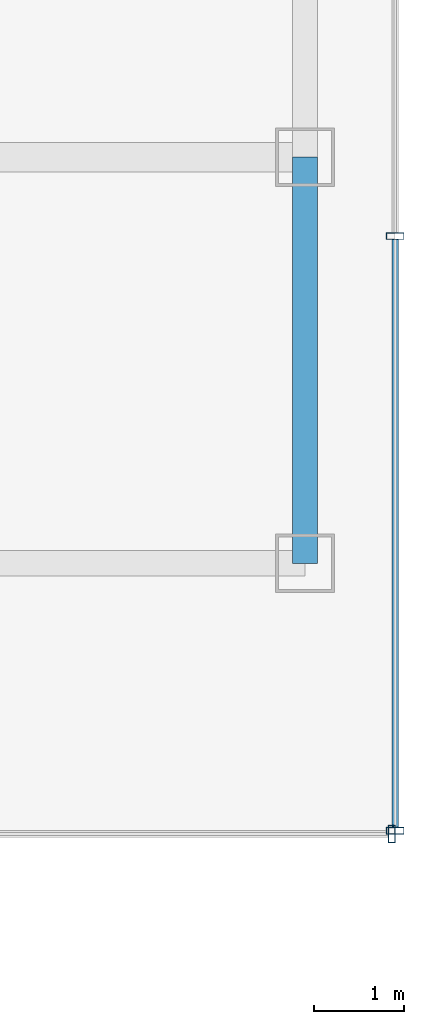
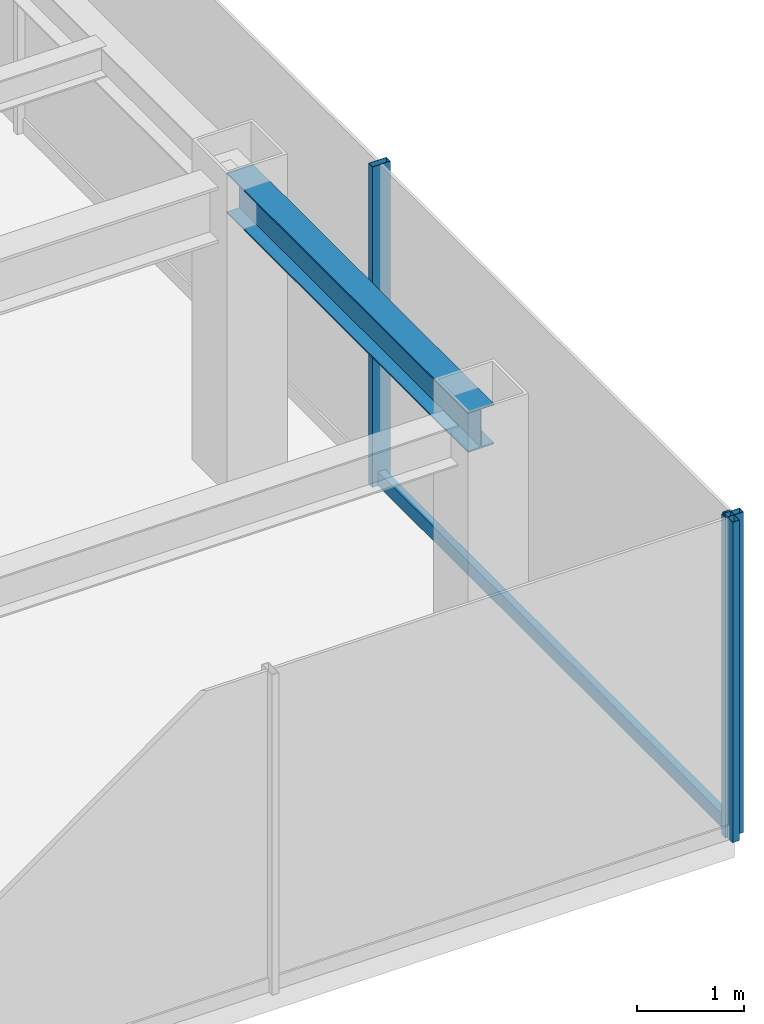
# One storey, part 11 of 25: 4 members, 1 beam, 2 elements without a shape of their own.
"""IFC4 building model written with IfcOpenShell, lengths in metres."""

from ifc_helpers import new_model, si_unit, derived_unit, direction, frame, origin, origin_2d, place, context, subcontext, project, spatial, hollow_rectangle, i_section, extrude, source, transform, mapped, material, material_profile, profile_set, type_object, element, aggregate, save


model = new_model("IFC4")

# Units and contexts
model_context = context("Model", 3, precision=1e-05, world=origin(), true_north=direction((0.0, 1.0)))
body_context = subcontext(model_context, "Body", "Model", "MODEL_VIEW")
ifc_project = project(units=[si_unit("LENGTHUNIT", "METRE"), si_unit("AREAUNIT", "SQUARE_METRE"), si_unit("VOLUMEUNIT", "CUBIC_METRE"), si_unit("PLANEANGLEUNIT", "RADIAN"), si_unit("MASSUNIT", "GRAM", prefix="KILO"), derived_unit("THERMALTRANSMITTANCEUNIT", [(si_unit("POWERUNIT", "WATT"), 1), (si_unit("LENGTHUNIT", "METRE"), -2), (si_unit("THERMODYNAMICTEMPERATUREUNIT", "KELVIN"), -1)])], contexts=[model_context])

# Site, building, storey
site_placement = place(None, origin())
site = spatial("IfcSite", under=ifc_project, at=site_placement, CompositionType="ELEMENT")
building_placement = place(site_placement, origin())
building = spatial("IfcBuilding", under=site, at=building_placement, Name="Skarnbrae Concourse Arena and Tower", CompositionType="ELEMENT")
storey_placement = place(building_placement, frame((0.0, 0.0, 158.85009765625)))
storey = spatial("IfcBuildingStorey", under=building, at=storey_placement, Name="L40", CompositionType="ELEMENT", Elevation=158.85009765625)

# Beam
ifc_material_1 = material(Name="Steel CSA G40.21 350W", Category="steel")
ifc_material_profile_1 = material_profile(ifc_material_1, i_section(OverallWidth=0.280029296875, OverallDepth=0.462890625, WebThickness=0.0107421875, FlangeThickness=0.017333984375, at=origin_2d()), Name="W460X113")
ifc_profile_set_1 = profile_set([ifc_material_profile_1], Name="Steel CSA G40.21 350W")
beam_type = type_object("IfcBeamType", Name="BM-SPAN-W460X113", PredefinedType="SPANDREL", material=ifc_profile_set_1)
shared_shape_1 = source(origin(), body_context, "Body", "SweptSolid", [
    extrude(i_section(OverallWidth=0.280029296875, OverallDepth=0.462890625, WebThickness=0.0107421875, FlangeThickness=0.017333984375, at=origin_2d()), origin(), (0.0, 0.0, 1.0), 4.5),
])
beam_placement = place(storey_placement, frame((49.0, 9.5, 3.16845703125), z_axis=(0.0, 1.0, 0.0), x_axis=(-1.0, 0.0, 0.0)))
element("IfcBeam", 1, at=beam_placement, inside=storey, type_object=beam_type, Name="L40 Perimeter spandrel X49.0-1", PredefinedType="SPANDREL", context=body_context, shape_type="MappedRepresentation", body=[
    mapped(shared_shape_1, transform((0.0, 0.0, 0.0))),
])

# Curtain wall, member
ifc_material_2 = material(Name="Bronze anodised aluminium 6063-T6", Category="aluminium")
curtain_wall_type = type_object("IfcCurtainWallType", Name="CW-SYS-04-MIDZONE", PredefinedType="USERDEFINED", material=ifc_material_2)
curtain_wall_1_placement = place(storey_placement, origin())
curtain_wall_1 = element("IfcCurtainWall", 2, at=curtain_wall_1_placement, inside=storey, type_object=curtain_wall_type, Name="L40 Unitised curtain wall CW-L40-E03", ObjectType="UNITISED CURTAIN WALL", PredefinedType="USERDEFINED")
ifc_material_profile_2 = material_profile(ifc_material_2, hollow_rectangle(XDim=0.074951171875, YDim=0.195068359375, WallThickness=0.00439453125, at=origin_2d()), Name="ALU-MULL-75X195")
ifc_profile_set_2 = profile_set([ifc_material_profile_2], Name="Bronze anodised aluminium 6063-T6")
member_type_1 = type_object("IfcMemberType", Name="CWM-CW-04", PredefinedType="MULLION", material=ifc_profile_set_2)
shared_shape_2 = source(origin(), body_context, "Body", "SweptSolid", [
    extrude(hollow_rectangle(XDim=0.074951171875, YDim=0.195068359375, WallThickness=0.00439453125, at=origin_2d()), origin(), (0.0, 0.0, 1.0), 3.64990234375),
])
member_1_placement = place(storey_placement, frame((49.96240234375, 6.5, 0.0), z_axis=(0.0, 0.0, 1.0), x_axis=(1.0, 0.0, 0.0)))
member_1 = element("IfcMember", 3, at=member_1_placement, type_object=member_type_1, Name="CW-L40-E03 Mullion 3", PredefinedType="MULLION", context=body_context, shape_type="MappedRepresentation", body=[
    mapped(shared_shape_2, transform((0.0, 0.0, 0.0))),
])
aggregate(curtain_wall_1, [member_1])

# Curtain wall, members
curtain_wall_2_placement = place(storey_placement, origin())
curtain_wall_2 = element("IfcCurtainWall", 4, at=curtain_wall_2_placement, inside=storey, type_object=curtain_wall_type, Name="L40 Unitised curtain wall CW-L40-E04", ObjectType="UNITISED CURTAIN WALL", PredefinedType="USERDEFINED")
member_2_placement = place(storey_placement, frame((50.0, 6.53759765625, 0.0), z_axis=(0.0, 0.0, 1.0), x_axis=(0.0, 1.0, 0.0)))
member_2 = element("IfcMember", 5, at=member_2_placement, type_object=member_type_1, Name="CW-L40-E04 Mullion 1", PredefinedType="MULLION", context=body_context, shape_type="MappedRepresentation", body=[
    mapped(shared_shape_2, transform((0.0, 0.0, 0.0))),
])
member_3_placement = place(storey_placement, frame((50.0, 13.125, 0.0), z_axis=(0.0, 0.0, 1.0), x_axis=(0.0, 1.0, 0.0)))
member_3 = element("IfcMember", 6, at=member_3_placement, type_object=member_type_1, Name="CW-L40-E04 Mullion 2", PredefinedType="MULLION", context=body_context, shape_type="MappedRepresentation", body=[
    mapped(shared_shape_2, transform((0.0, 0.0, 0.0))),
])
ifc_material_profile_3 = material_profile(ifc_material_2, hollow_rectangle(XDim=0.074951171875, YDim=0.159912109375, WallThickness=0.00439453125, at=origin_2d()), Name="ALU-TRAN-75X160")
ifc_profile_set_3 = profile_set([ifc_material_profile_3], Name="Bronze anodised aluminium 6063-T6")
member_type_2 = type_object("IfcMemberType", Name="CWT-CW-04", PredefinedType="USERDEFINED", material=ifc_profile_set_3)
shared_shape_3 = source(origin(), body_context, "Body", "SweptSolid", [
    extrude(hollow_rectangle(XDim=0.074951171875, YDim=0.159912109375, WallThickness=0.00439453125, at=origin_2d()), origin(), (0.0, 0.0, 1.0), 6.512451171875),
])
member_4_placement = place(storey_placement, frame((50.0, 6.574951171875, 0.079833984375), z_axis=(0.0, 1.0, 0.0), x_axis=(-1.0, 0.0, 0.0)))
member_4 = element("IfcMember", 7, at=member_4_placement, type_object=member_type_2, Name="CW-L40-E04 Transom 1", ObjectType="TRANSOM", PredefinedType="USERDEFINED", context=body_context, shape_type="MappedRepresentation", body=[
    mapped(shared_shape_3, transform((0.0, 0.0, 0.0))),
])
aggregate(curtain_wall_2, [member_2, member_3, member_4])

save(model, "model.ifc")
